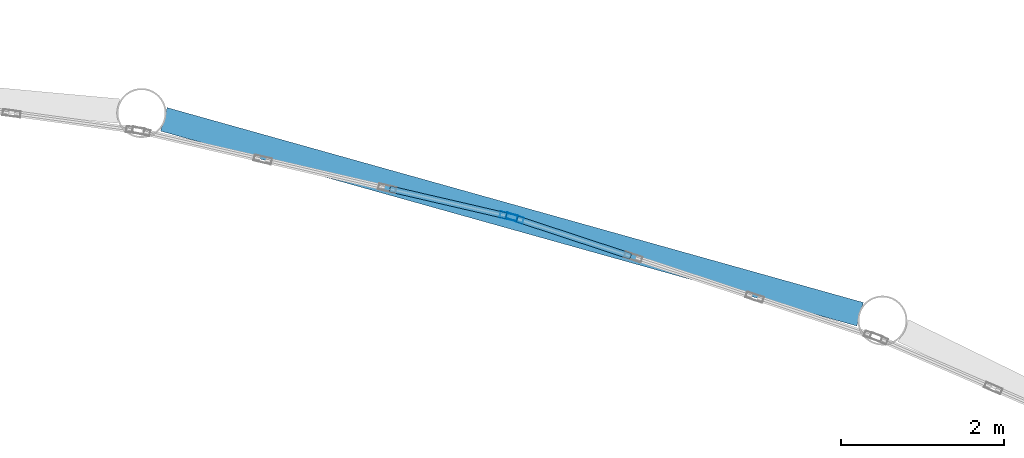
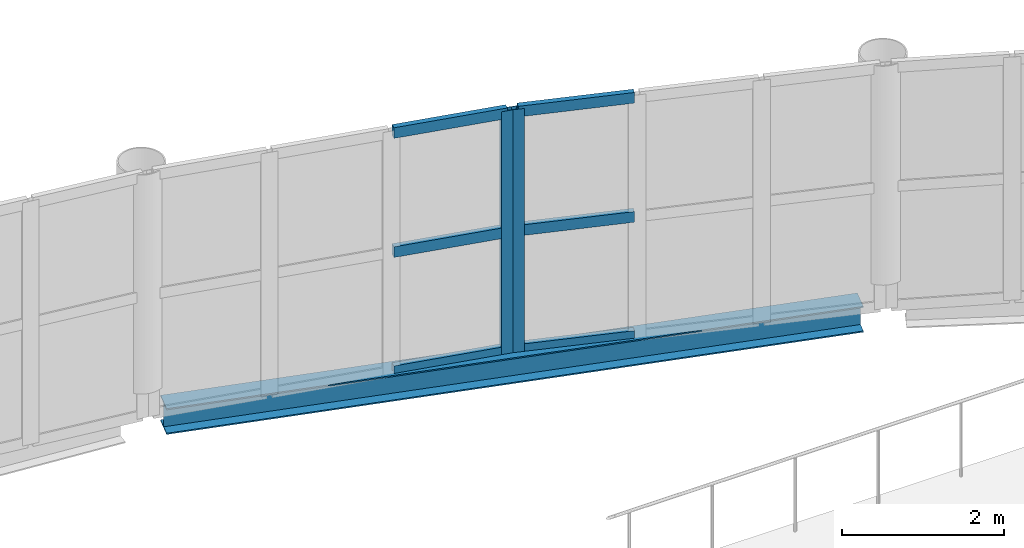
# One storey, part 72 of 134: 8 members, 1 beam, 2 elements without a shape of their own.
"""IFC4 building model written with IfcOpenShell, lengths in metres."""

from ifc_helpers import new_model, si_unit, direction, frame, origin, origin_2d, place, context, subcontext, project, spatial, hollow_rectangle, i_section, extrude, material, layer, layer_set, material_profile, profile_set, type_object, element, aggregate, save


model = new_model("IFC4")

# Units and contexts
model_context = context("Model", 3, precision=1e-05, world=origin(), true_north=direction((0.0, 1.0)))
body_context = subcontext(model_context, "Body", "Model", "MODEL_VIEW")
ifc_project = project(units=[si_unit("LENGTHUNIT", "METRE"), si_unit("AREAUNIT", "SQUARE_METRE"), si_unit("VOLUMEUNIT", "CUBIC_METRE"), si_unit("PLANEANGLEUNIT", "RADIAN"), si_unit("MASSUNIT", "GRAM", prefix="KILO")], contexts=[model_context])

# Site, building, storey
site_placement = place(None, origin())
site = spatial("IfcSite", under=ifc_project, at=site_placement, CompositionType="ELEMENT")
building_placement = place(site_placement, origin())
building = spatial("IfcBuilding", under=site, at=building_placement, Name="Tamarisk Ironworks Central Station", CompositionType="ELEMENT")
storey_placement = place(building_placement, frame((0.0, 0.0, 12.60009765625)))
storey = spatial("IfcBuildingStorey", under=building, at=storey_placement, Name="L02", CompositionType="ELEMENT", Elevation=12.60009765625)

# Beam
ifc_material_1 = material(Name="Structural steel S355J2", Category="steel")
ifc_material_profile_1 = material_profile(ifc_material_1, i_section(OverallWidth=0.300048828125, OverallDepth=0.389892578125, WebThickness=0.010986328125, FlangeThickness=0.01904296875, at=origin_2d()), Name="HEA 400")
ifc_profile_set_1 = profile_set([ifc_material_profile_1], Name="Structural steel S355J2")
beam_type = type_object("IfcBeamType", Name="BM-G07", PredefinedType="BEAM", material=ifc_profile_set_1)
beam_placement = place(storey_placement, frame((90.685302734375, 118.223388671875, -0.5751953125), z_axis=(0.962975154525, -0.269590155174, 0.0), x_axis=(0.269590155174, 0.962975154525, 0.0)))
element("IfcBeam", 1, at=beam_placement, inside=storey, type_object=beam_type, Name="NN rounded nose L02 chord girder 034", PredefinedType="BEAM", context=body_context, shape_type="SweptSolid", body=[
    extrude(i_section(OverallWidth=0.300048828125, OverallDepth=0.389892578125, WebThickness=0.010986328125, FlangeThickness=0.01904296875, at=origin_2d()), origin(), (0.0, 0.0, 1.0), 8.88037109375),
])

# Curtain wall, member
ifc_material_2 = material(Name="Anodized aluminium alloy 6063-T6", Category="aluminium")
ifc_layer = layer(ifc_material_2, 0.179931640625)
ifc_layer_set = layer_set([ifc_layer], Name="Anodized aluminium alloy 6063-T6")
curtain_wall_type = type_object("IfcCurtainWallType", Name="CW-03", PredefinedType="USERDEFINED", material=ifc_layer_set)
curtain_wall_1_placement = place(storey_placement, origin())
curtain_wall_1 = element("IfcCurtainWall", 2, at=curtain_wall_1_placement, inside=storey, type_object=curtain_wall_type, Name="NN rounded entrance hall L02 curtain wall bay 09", ObjectType="GLAZED CURTAIN WALL", PredefinedType="USERDEFINED")
ifc_material_profile_2 = material_profile(ifc_material_2, hollow_rectangle(XDim=0.074951171875, YDim=0.219970703125, WallThickness=0.00390625, at=origin_2d()), Name="ALUM 220x75")
ifc_profile_set_2 = profile_set([ifc_material_profile_2], Name="Anodized aluminium alloy 6063-T6")
member_type_1 = type_object("IfcMemberType", Name="CWM-01", PredefinedType="MULLION", material=ifc_profile_set_2)
member_1_placement = place(storey_placement, frame((94.92236328125, 117.030517578125, -0.385009765625), z_axis=(0.0, 0.0, 1.0), x_axis=(0.225516966506, 0.974239240545, 0.0)))
member_1 = element("IfcMember", 3, at=member_1_placement, type_object=member_type_1, Name="CW03 mullion 4", PredefinedType="MULLION", context=body_context, shape_type="SweptSolid", body=[
    extrude(hollow_rectangle(XDim=0.074951171875, YDim=0.219970703125, WallThickness=0.00390625, at=origin_2d()), origin(), (0.0, 0.0, 1.0), 3.664794921875),
])

curtain_wall_2_placement = place(storey_placement, origin())
curtain_wall_2 = element("IfcCurtainWall", 4, at=curtain_wall_2_placement, inside=storey, type_object=curtain_wall_type, Name="NN rounded entrance hall L02 curtain wall bay 10", ObjectType="GLAZED CURTAIN WALL", PredefinedType="USERDEFINED")
member_2_placement = place(storey_placement, frame((94.99462890625, 117.01025390625, -0.385009765625), z_axis=(0.0, 0.0, 1.0), x_axis=(0.313098460171, 0.949720671692, 0.0)))
member_2 = element("IfcMember", 5, at=member_2_placement, type_object=member_type_1, Name="CW03 mullion 1", PredefinedType="MULLION", context=body_context, shape_type="SweptSolid", body=[
    extrude(hollow_rectangle(XDim=0.074951171875, YDim=0.219970703125, WallThickness=0.00390625, at=origin_2d()), origin(), (0.0, 0.0, 1.0), 3.664794921875),
])

# Member
ifc_material_profile_3 = material_profile(ifc_material_2, hollow_rectangle(XDim=0.074951171875, YDim=0.159912109375, WallThickness=0.00390625, at=origin_2d()), Name="ALUM 160x75")
ifc_profile_set_3 = profile_set([ifc_material_profile_3], Name="Anodized aluminium alloy 6063-T6")
member_type_2 = type_object("IfcMemberType", Name="CWT-01", PredefinedType="USERDEFINED", material=ifc_profile_set_3)
member_3_placement = place(storey_placement, frame((93.462158203125, 117.368408203125, -0.34765625), z_axis=(0.974256222879, -0.225443589799, 0.0), x_axis=(0.225443589799, 0.974256222879, 0.0)))
member_3 = element("IfcMember", 6, at=member_3_placement, type_object=member_type_2, Name="CW03 transom 3.1", ObjectType="TRANSOM", PredefinedType="USERDEFINED", context=body_context, shape_type="SweptSolid", body=[
    extrude(hollow_rectangle(XDim=0.074951171875, YDim=0.159912109375, WallThickness=0.00390625, at=origin_2d()), origin(), (0.0, 0.0, 1.0), 1.46533203125),
])

member_4_placement = place(storey_placement, frame((93.462158203125, 117.368408203125, 1.447509765625), z_axis=(0.974256222879, -0.225443589799, 0.0), x_axis=(0.225443589799, 0.974256222879, 0.0)))
member_4 = element("IfcMember", 7, at=member_4_placement, type_object=member_type_2, Name="CW03 transom 3.2", ObjectType="TRANSOM", PredefinedType="USERDEFINED", context=body_context, shape_type="SweptSolid", body=[
    extrude(hollow_rectangle(XDim=0.074951171875, YDim=0.159912109375, WallThickness=0.00390625, at=origin_2d()), origin(), (0.0, 0.0, 1.0), 1.46533203125),
])

member_5_placement = place(storey_placement, frame((93.462158203125, 117.368408203125, 3.242431640625), z_axis=(0.974256222879, -0.225443589799, 0.0), x_axis=(0.225443589799, 0.974256222879, 0.0)))
member_5 = element("IfcMember", 8, at=member_5_placement, type_object=member_type_2, Name="CW03 transom 3.3", ObjectType="TRANSOM", PredefinedType="USERDEFINED", context=body_context, shape_type="SweptSolid", body=[
    extrude(hollow_rectangle(XDim=0.074951171875, YDim=0.159912109375, WallThickness=0.00390625, at=origin_2d()), origin(), (0.0, 0.0, 1.0), 1.46533203125),
])

aggregate(curtain_wall_1, [member_1, member_3, member_4, member_5])

member_6_placement = place(storey_placement, frame((95.0263671875, 116.999755859375, -0.34765625), z_axis=(0.949727770531, -0.313076926461, 0.0), x_axis=(0.313076926461, 0.949727770531, 0.0)))
member_6 = element("IfcMember", 9, at=member_6_placement, type_object=member_type_2, Name="CW03 transom 1.1", ObjectType="TRANSOM", PredefinedType="USERDEFINED", context=body_context, shape_type="SweptSolid", body=[
    extrude(hollow_rectangle(XDim=0.074951171875, YDim=0.159912109375, WallThickness=0.00390625, at=origin_2d()), origin(), (0.0, 0.0, 1.0), 1.46533203125),
])

member_7_placement = place(storey_placement, frame((95.0263671875, 116.999755859375, 1.447509765625), z_axis=(0.949727770531, -0.313076926461, 0.0), x_axis=(0.313076926461, 0.949727770531, 0.0)))
member_7 = element("IfcMember", 10, at=member_7_placement, type_object=member_type_2, Name="CW03 transom 1.2", ObjectType="TRANSOM", PredefinedType="USERDEFINED", context=body_context, shape_type="SweptSolid", body=[
    extrude(hollow_rectangle(XDim=0.074951171875, YDim=0.159912109375, WallThickness=0.00390625, at=origin_2d()), origin(), (0.0, 0.0, 1.0), 1.46533203125),
])

member_8_placement = place(storey_placement, frame((95.0263671875, 116.999755859375, 3.242431640625), z_axis=(0.949727770531, -0.313076926461, 0.0), x_axis=(0.313076926461, 0.949727770531, 0.0)))
member_8 = element("IfcMember", 11, at=member_8_placement, type_object=member_type_2, Name="CW03 transom 1.3", ObjectType="TRANSOM", PredefinedType="USERDEFINED", context=body_context, shape_type="SweptSolid", body=[
    extrude(hollow_rectangle(XDim=0.074951171875, YDim=0.159912109375, WallThickness=0.00390625, at=origin_2d()), origin(), (0.0, 0.0, 1.0), 1.46533203125),
])

aggregate(curtain_wall_2, [member_2, member_6, member_7, member_8])

save(model, "model.ifc")
